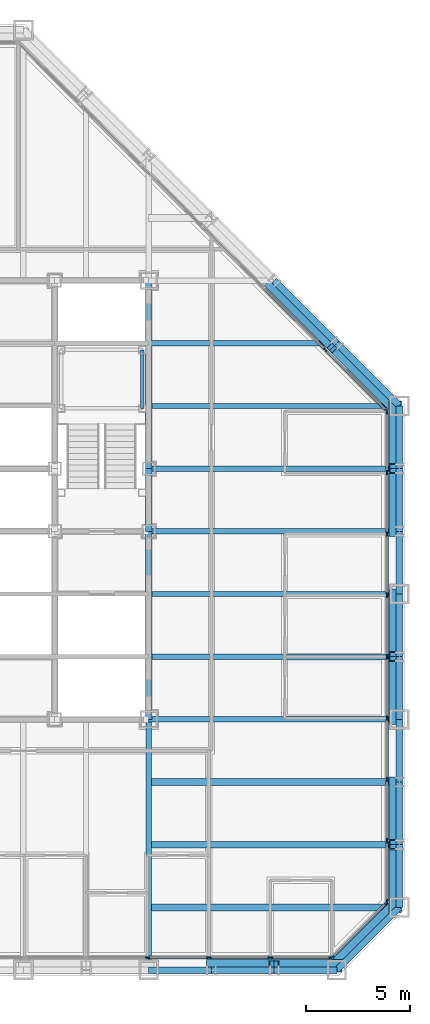
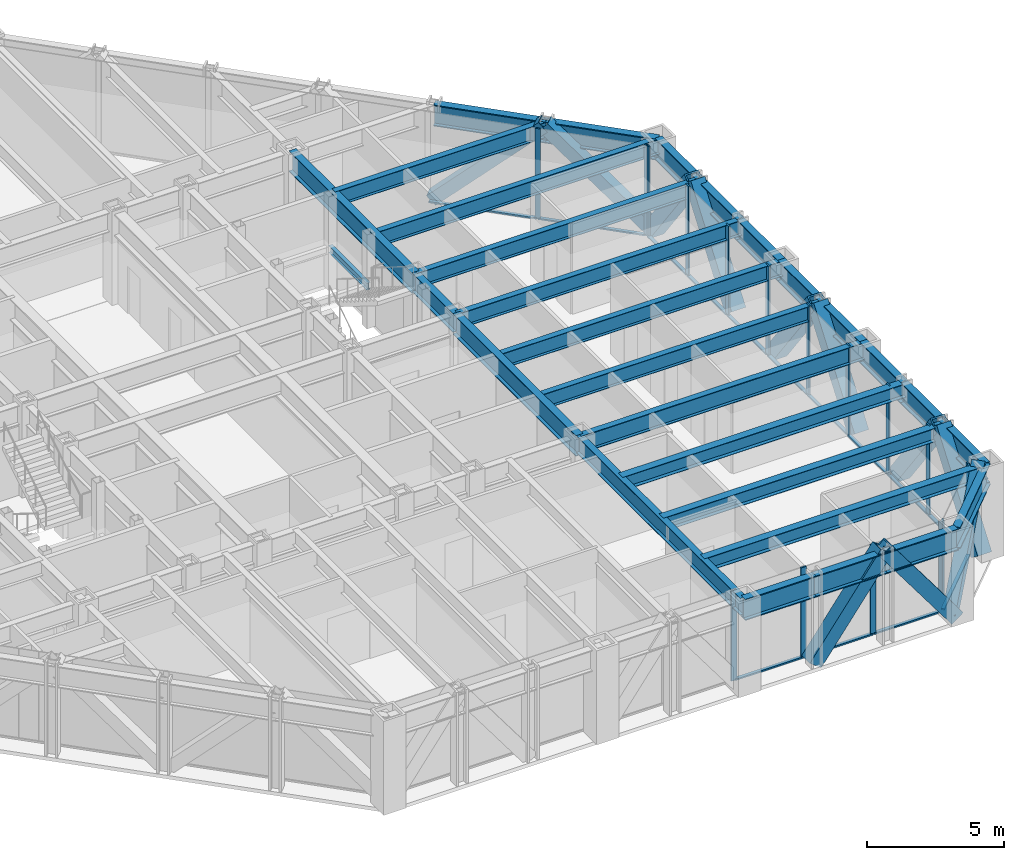
# One storey, part 6 of 16: 42 members, 29 beams, 4 elements without a shape of their own.
"""IFC4 building model written with IfcOpenShell, lengths in metres."""

from ifc_helpers import new_model, si_unit, direction, frame, origin, origin_2d, place, context, subcontext, project, spatial, rectangle, hollow_rectangle, i_section, extrude, material, layer, layer_set, material_profile, profile_set, type_object, element, aggregate, save


model = new_model("IFC4")

# Units and contexts
model_context = context("Model", 3, precision=1e-05, world=origin(), true_north=direction((0.0, 1.0)))
body_context = subcontext(model_context, "Body", "Model", "MODEL_VIEW")
ifc_project = project(units=[si_unit("LENGTHUNIT", "METRE"), si_unit("AREAUNIT", "SQUARE_METRE"), si_unit("VOLUMEUNIT", "CUBIC_METRE"), si_unit("PLANEANGLEUNIT", "RADIAN"), si_unit("MASSUNIT", "GRAM", prefix="KILO")], contexts=[model_context])

# Site, building, storey
site_placement = place(None, origin())
site = spatial("IfcSite", under=ifc_project, at=site_placement, CompositionType="ELEMENT")
building_placement = place(site_placement, origin())
building = spatial("IfcBuilding", under=site, at=building_placement, Name="Chuquiago Exchange Tower", CompositionType="ELEMENT")
storey_placement = place(building_placement, frame((0.0, 0.0, 144.60009765625)))
storey = spatial("IfcBuildingStorey", under=building, at=storey_placement, Name="L31", CompositionType="ELEMENT", Elevation=144.60009765625)

# Beams
ifc_material_1 = material(Name="Steel ASTM A992", Category="steel")
ifc_material_profile_1 = material_profile(ifc_material_1, i_section(OverallWidth=0.25390625, OverallDepth=0.683349609375, WebThickness=0.012451171875, FlangeThickness=0.018798828125, at=origin_2d()), Name="W27X94")
ifc_profile_set_1 = profile_set([ifc_material_profile_1], Name="Steel ASTM A992")
beam_type_1 = type_object("IfcBeamType", Name="B1 W27X94", PredefinedType="BEAM", material=ifc_profile_set_1)
for number, where, z_axis, x_axis, name in (
    (1, (33.0, 15.0, 3.6982421875), (1.0, 0.0, 0.0), (0.0, 1.0, 0.0), "FB-L32-infill-33_15-45_15-0"),
    (2, (33.0, 18.0, 3.6982421875), (1.0, 0.0, 0.0), (0.0, 1.0, 0.0), "FB-L32-infill-33_18-45_18-0"),
    (3, (33.0, 21.0, 3.6982421875), (1.0, 0.0, 0.0), (0.0, 1.0, 0.0), "FB-L32-infill-33_21-45_21-0"),
    (4, (33.0, 24.0, 3.6982421875), (1.0, 0.0, 0.0), (0.0, 1.0, 0.0), "FB-L32-infill-33_24-45_24-0"),
    (5, (33.0, 27.0, 3.6982421875), (1.0, 0.0, 0.0), (0.0, 1.0, 0.0), "FB-L32-infill-33_27-45_27-0"),
):
    element("IfcBeam", number, at=place(storey_placement, frame(where, z_axis=z_axis, x_axis=x_axis)), inside=storey, type_object=beam_type_1, Name=name, PredefinedType="BEAM", context=body_context, shape_type="SweptSolid", body=[
        extrude(i_section(OverallWidth=0.25390625, OverallDepth=0.683349609375, WebThickness=0.012451171875, FlangeThickness=0.018798828125, at=origin_2d()), origin(), (0.0, 0.0, 1.0), 12.0),
    ])
beam_1_placement = place(storey_placement, frame((33.0, 30.0, 3.6982421875), z_axis=(1.0, 0.0, 0.0), x_axis=(0.0, 1.0, 0.0)))
element("IfcBeam", 6, at=beam_1_placement, inside=storey, type_object=beam_type_1, Name="FB-L32-infill-33_30-42_30-0", PredefinedType="BEAM", context=body_context, shape_type="SweptSolid", body=[
    extrude(i_section(OverallWidth=0.25390625, OverallDepth=0.683349609375, WebThickness=0.012451171875, FlangeThickness=0.018798828125, at=origin_2d()), origin(), (0.0, 0.0, 1.0), 9.0),
])
ifc_material_2 = material(Name="Steel ASTM A992", Category="steel")
ifc_material_profile_2 = material_profile(ifc_material_2, i_section(OverallWidth=0.307373046875, OverallDepth=0.927001953125, WebThickness=0.01953125, FlangeThickness=0.031982421875, at=origin_2d()), Name="W36X194")
ifc_profile_set_2 = profile_set([ifc_material_profile_2], Name="Steel ASTM A992")
beam_type_2 = type_object("IfcBeamType", Name="B10 W36X194", PredefinedType="BEAM", material=ifc_profile_set_2)
for number, where, z_axis, x_axis, name in (
    (7, (33.0, 12.0, 3.576416015625), (0.0, 1.0, 0.0), (-1.0, 0.0, 0.0), "CB-L32-33_12-33_21"),
    (8, (33.0, 24.0, 3.576416015625), (0.0, 1.0, 0.0), (-1.0, 0.0, 0.0), "CB-L32-33_24-33_33"),
):
    element("IfcBeam", number, at=place(storey_placement, frame(where, z_axis=z_axis, x_axis=x_axis)), inside=storey, type_object=beam_type_2, Name=name, PredefinedType="BEAM", context=body_context, shape_type="SweptSolid", body=[
        extrude(i_section(OverallWidth=0.307373046875, OverallDepth=0.927001953125, WebThickness=0.01953125, FlangeThickness=0.031982421875, at=origin_2d()), origin(), (0.0, 0.0, 1.0), 9.0),
    ])
ifc_material_3 = material(Name="Steel ASTM A992", Category="steel")
ifc_material_profile_3 = material_profile(ifc_material_3, i_section(OverallWidth=0.3251953125, OverallDepth=0.612060546875, WebThickness=0.0126953125, FlangeThickness=0.01904296875, at=origin_2d()), Name="W24X104")
ifc_profile_set_3 = profile_set([ifc_material_profile_3], Name="Steel ASTM A992")
beam_type_3 = type_object("IfcBeamType", Name="B2 W24X104", PredefinedType="BEAM", material=ifc_profile_set_3)
for number, where, z_axis, x_axis, name in (
    (9, (33.0, 3.0, 3.73388671875), (1.0, 0.0, 0.0), (0.0, 1.0, 0.0), "FB-L32-corner-33_3-45_3-0"),
    (10, (33.0, 6.0, 3.73388671875), (1.0, 0.0, 0.0), (0.0, 1.0, 0.0), "FB-L32-corner-33_6-45_6-0"),
    (11, (33.0, 9.0, 3.73388671875), (1.0, 0.0, 0.0), (0.0, 1.0, 0.0), "FB-L32-corner-33_9-45_9-0"),
):
    element("IfcBeam", number, at=place(storey_placement, frame(where, z_axis=z_axis, x_axis=x_axis)), inside=storey, type_object=beam_type_3, Name=name, PredefinedType="BEAM", context=body_context, shape_type="SweptSolid", body=[
        extrude(i_section(OverallWidth=0.3251953125, OverallDepth=0.612060546875, WebThickness=0.0126953125, FlangeThickness=0.01904296875, at=origin_2d()), origin(), (0.0, 0.0, 1.0), 12.0),
    ])
ifc_material_4 = material(Name="Steel ASTM A992", Category="steel")
ifc_material_profile_4 = material_profile(ifc_material_4, i_section(OverallWidth=0.2919921875, OverallDepth=0.8583984375, WebThickness=0.01708984375, FlangeThickness=0.031005859375, at=origin_2d()), Name="W33X169")
ifc_profile_set_4 = profile_set([ifc_material_profile_4], Name="Steel ASTM A992")
beam_type_4 = type_object("IfcBeamType", Name="B3 W33X169", PredefinedType="BEAM", material=ifc_profile_set_4)
beam_2_placement = place(storey_placement, frame((33.0, 21.0, 3.610595703125), z_axis=(0.0, 1.0, 0.0), x_axis=(-1.0, 0.0, 0.0)))
element("IfcBeam", 12, at=beam_2_placement, inside=storey, type_object=beam_type_4, Name="CB-L32-33_21-33_24", PredefinedType="BEAM", context=body_context, shape_type="SweptSolid", body=[
    extrude(i_section(OverallWidth=0.2919921875, OverallDepth=0.8583984375, WebThickness=0.01708984375, FlangeThickness=0.031005859375, at=origin_2d()), origin(), (0.0, 0.0, 1.0), 3.0),
])

# Curtain wall, members
ifc_material_5 = material(Name="Aluminium curtain wall system", Category="aluminium")
ifc_layer_1 = layer(ifc_material_5, 0.22509765625)
ifc_layer_set_1 = layer_set([ifc_layer_1], Name="CW2 office curtain wall")
curtain_wall_type_1 = type_object("IfcCurtainWallType", Name="CW2 office curtain wall", PredefinedType="NOTDEFINED", material=ifc_layer_set_1)
curtain_wall_1_placement = place(storey_placement, origin())
curtain_wall_1 = element("IfcCurtainWall", 13, at=curtain_wall_1_placement, inside=storey, type_object=curtain_wall_type_1, Name="CW2 curtain wall L31", PredefinedType="NOTDEFINED")
ifc_material_6 = material(Name="Aluminium mullion, pale anodised", Category="aluminium")
ifc_material_profile_5 = material_profile(ifc_material_6, rectangle(XDim=0.06494140625, YDim=0.22509765625, at=origin_2d()), Name="AL 65x225")
ifc_profile_set_5 = profile_set([ifc_material_profile_5], Name="Aluminium mullion, pale anodised")
member_type_1 = type_object("IfcMemberType", Name="CW2-M mullion 65x225", PredefinedType="MULLION", material=ifc_profile_set_5)
member_1_placement = place(storey_placement, frame((32.93798828125, 0.60009765625, 0.0), z_axis=(0.0, 0.0, 1.0), x_axis=(0.0, 1.0, 0.0)))
member_1 = element("IfcMember", 14, at=member_1_placement, type_object=member_type_1, Name="CW2 mullion 6", PredefinedType="MULLION", context=body_context, shape_type="SweptSolid", body=[
    extrude(rectangle(XDim=0.06494140625, YDim=0.22509765625, at=origin_2d()), origin(), (0.0, 0.0, 1.0), 4.039794921875),
])
member_2_placement = place(storey_placement, frame((35.875732421875, 0.60009765625, 0.0), z_axis=(0.0, 0.0, 1.0), x_axis=(0.0, 1.0, 0.0)))
member_2 = element("IfcMember", 15, at=member_2_placement, type_object=member_type_1, Name="CW2 mullion 7", PredefinedType="MULLION", context=body_context, shape_type="SweptSolid", body=[
    extrude(rectangle(XDim=0.06494140625, YDim=0.22509765625, at=origin_2d()), origin(), (0.0, 0.0, 1.0), 4.039794921875),
])
member_3_placement = place(storey_placement, frame((38.813720703125, 0.60009765625, 0.0), z_axis=(0.0, 0.0, 1.0), x_axis=(0.0, 1.0, 0.0)))
member_3 = element("IfcMember", 16, at=member_3_placement, type_object=member_type_1, Name="CW2 mullion 8", PredefinedType="MULLION", context=body_context, shape_type="SweptSolid", body=[
    extrude(rectangle(XDim=0.06494140625, YDim=0.22509765625, at=origin_2d()), origin(), (0.0, 0.0, 1.0), 4.039794921875),
])
member_4_placement = place(storey_placement, frame((41.718994140625, 0.60009765625, 0.0), z_axis=(0.0, 0.0, 1.0), x_axis=(0.0, 1.0, 0.0)))
member_4 = element("IfcMember", 17, at=member_4_placement, type_object=member_type_1, Name="CW2 mullion 9", PredefinedType="MULLION", context=body_context, shape_type="SweptSolid", body=[
    extrude(rectangle(XDim=0.06494140625, YDim=0.22509765625, at=origin_2d()), origin(), (0.0, 0.0, 1.0), 4.039794921875),
])

curtain_wall_2_placement = place(storey_placement, origin())
curtain_wall_2 = element("IfcCurtainWall", 18, at=curtain_wall_2_placement, inside=storey, type_object=curtain_wall_type_1, Name="CW2 curtain wall L31", PredefinedType="NOTDEFINED")
member_5_placement = place(storey_placement, frame((44.39990234375, 3.281005859375, 0.0), z_axis=(0.0, 0.0, 1.0), x_axis=(-1.0, 0.0, 0.0)))
member_5 = element("IfcMember", 19, at=member_5_placement, type_object=member_type_1, Name="CW2 mullion 1", PredefinedType="MULLION", context=body_context, shape_type="SweptSolid", body=[
    extrude(rectangle(XDim=0.06494140625, YDim=0.22509765625, at=origin_2d()), origin(), (0.0, 0.0, 1.0), 4.039794921875),
])
member_6_placement = place(storey_placement, frame((44.39990234375, 6.186279296875, 0.0), z_axis=(0.0, 0.0, 1.0), x_axis=(-1.0, 0.0, 0.0)))
member_6 = element("IfcMember", 20, at=member_6_placement, type_object=member_type_1, Name="CW2 mullion 2", PredefinedType="MULLION", context=body_context, shape_type="SweptSolid", body=[
    extrude(rectangle(XDim=0.06494140625, YDim=0.22509765625, at=origin_2d()), origin(), (0.0, 0.0, 1.0), 4.039794921875),
])
member_7_placement = place(storey_placement, frame((44.39990234375, 9.124267578125, 0.0), z_axis=(0.0, 0.0, 1.0), x_axis=(-1.0, 0.0, 0.0)))
member_7 = element("IfcMember", 21, at=member_7_placement, type_object=member_type_1, Name="CW2 mullion 3", PredefinedType="MULLION", context=body_context, shape_type="SweptSolid", body=[
    extrude(rectangle(XDim=0.06494140625, YDim=0.22509765625, at=origin_2d()), origin(), (0.0, 0.0, 1.0), 4.039794921875),
])
member_8_placement = place(storey_placement, frame((44.39990234375, 12.06201171875, 0.0), z_axis=(0.0, 0.0, 1.0), x_axis=(-1.0, 0.0, 0.0)))
member_8 = element("IfcMember", 22, at=member_8_placement, type_object=member_type_1, Name="CW2 mullion 4", PredefinedType="MULLION", context=body_context, shape_type="SweptSolid", body=[
    extrude(rectangle(XDim=0.06494140625, YDim=0.22509765625, at=origin_2d()), origin(), (0.0, 0.0, 1.0), 4.039794921875),
])
member_9_placement = place(storey_placement, frame((44.39990234375, 15.0, 0.0), z_axis=(0.0, 0.0, 1.0), x_axis=(-1.0, 0.0, 0.0)))
member_9 = element("IfcMember", 23, at=member_9_placement, type_object=member_type_1, Name="CW2 mullion 5", PredefinedType="MULLION", context=body_context, shape_type="SweptSolid", body=[
    extrude(rectangle(XDim=0.06494140625, YDim=0.22509765625, at=origin_2d()), origin(), (0.0, 0.0, 1.0), 4.039794921875),
])
member_10_placement = place(storey_placement, frame((44.39990234375, 17.93798828125, 0.0), z_axis=(0.0, 0.0, 1.0), x_axis=(-1.0, 0.0, 0.0)))
member_10 = element("IfcMember", 24, at=member_10_placement, type_object=member_type_1, Name="CW2 mullion 6", PredefinedType="MULLION", context=body_context, shape_type="SweptSolid", body=[
    extrude(rectangle(XDim=0.06494140625, YDim=0.22509765625, at=origin_2d()), origin(), (0.0, 0.0, 1.0), 4.039794921875),
])
member_11_placement = place(storey_placement, frame((44.39990234375, 20.875732421875, 0.0), z_axis=(0.0, 0.0, 1.0), x_axis=(-1.0, 0.0, 0.0)))
member_11 = element("IfcMember", 25, at=member_11_placement, type_object=member_type_1, Name="CW2 mullion 7", PredefinedType="MULLION", context=body_context, shape_type="SweptSolid", body=[
    extrude(rectangle(XDim=0.06494140625, YDim=0.22509765625, at=origin_2d()), origin(), (0.0, 0.0, 1.0), 4.039794921875),
])
member_12_placement = place(storey_placement, frame((44.39990234375, 23.813720703125, 0.0), z_axis=(0.0, 0.0, 1.0), x_axis=(-1.0, 0.0, 0.0)))
member_12 = element("IfcMember", 26, at=member_12_placement, type_object=member_type_1, Name="CW2 mullion 8", PredefinedType="MULLION", context=body_context, shape_type="SweptSolid", body=[
    extrude(rectangle(XDim=0.06494140625, YDim=0.22509765625, at=origin_2d()), origin(), (0.0, 0.0, 1.0), 4.039794921875),
])
member_13_placement = place(storey_placement, frame((44.39990234375, 26.718994140625, 0.0), z_axis=(0.0, 0.0, 1.0), x_axis=(-1.0, 0.0, 0.0)))
member_13 = element("IfcMember", 27, at=member_13_placement, type_object=member_type_1, Name="CW2 mullion 9", PredefinedType="MULLION", context=body_context, shape_type="SweptSolid", body=[
    extrude(rectangle(XDim=0.06494140625, YDim=0.22509765625, at=origin_2d()), origin(), (0.0, 0.0, 1.0), 4.039794921875),
])

# Member
ifc_material_7 = material(Name="Aluminium transom, pale anodised", Category="aluminium")
ifc_material_profile_6 = material_profile(ifc_material_7, rectangle(XDim=0.139892578125, YDim=0.06494140625, at=origin_2d()), Name="AL 140x65")
ifc_profile_set_6 = profile_set([ifc_material_profile_6], Name="Aluminium transom, pale anodised")
member_type_2 = type_object("IfcMemberType", Name="CW2-T transom 65x140", PredefinedType="MULLION", material=ifc_profile_set_6)
member_14_placement = place(storey_placement, frame((32.970458984375, 0.60009765625, 0.032470703125), z_axis=(1.0, 0.0, 0.0), x_axis=(0.0, 1.0, 0.0)))
member_14 = element("IfcMember", 28, at=member_14_placement, type_object=member_type_2, Name="CW2 transom 6.1", PredefinedType="MULLION", context=body_context, shape_type="SweptSolid", body=[
    extrude(rectangle(XDim=0.139892578125, YDim=0.06494140625, at=origin_2d()), origin(), (0.0, 0.0, 1.0), 2.872802734375),
])

member_15_placement = place(storey_placement, frame((35.908203125, 0.60009765625, 0.032470703125), z_axis=(1.0, 0.0, 0.0), x_axis=(0.0, 1.0, 0.0)))
member_15 = element("IfcMember", 29, at=member_15_placement, type_object=member_type_2, Name="CW2 transom 7.1", PredefinedType="MULLION", context=body_context, shape_type="SweptSolid", body=[
    extrude(rectangle(XDim=0.139892578125, YDim=0.06494140625, at=origin_2d()), origin(), (0.0, 0.0, 1.0), 2.872802734375),
])

member_16_placement = place(storey_placement, frame((38.84619140625, 0.60009765625, 0.032470703125), z_axis=(1.0, 0.0, 0.0), x_axis=(0.0, 1.0, 0.0)))
member_16 = element("IfcMember", 30, at=member_16_placement, type_object=member_type_2, Name="CW2 transom 8.1", PredefinedType="MULLION", context=body_context, shape_type="SweptSolid", body=[
    extrude(rectangle(XDim=0.139892578125, YDim=0.06494140625, at=origin_2d()), origin(), (0.0, 0.0, 1.0), 2.84033203125),
])

aggregate(curtain_wall_1, [member_1, member_2, member_3, member_4, member_14, member_15, member_16])

member_17_placement = place(storey_placement, frame((44.39990234375, 3.3134765625, 0.032470703125), z_axis=(0.0, 1.0, 0.0), x_axis=(-1.0, 0.0, 0.0)))
member_17 = element("IfcMember", 31, at=member_17_placement, type_object=member_type_2, Name="CW2 transom 1.1", PredefinedType="MULLION", context=body_context, shape_type="SweptSolid", body=[
    extrude(rectangle(XDim=0.139892578125, YDim=0.06494140625, at=origin_2d()), origin(), (0.0, 0.0, 1.0), 2.84033203125),
])

member_18_placement = place(storey_placement, frame((44.39990234375, 6.218994140625, 0.032470703125), z_axis=(0.0, 1.0, 0.0), x_axis=(-1.0, 0.0, 0.0)))
member_18 = element("IfcMember", 32, at=member_18_placement, type_object=member_type_2, Name="CW2 transom 2.1", PredefinedType="MULLION", context=body_context, shape_type="SweptSolid", body=[
    extrude(rectangle(XDim=0.139892578125, YDim=0.06494140625, at=origin_2d()), origin(), (0.0, 0.0, 1.0), 2.872802734375),
])

member_19_placement = place(storey_placement, frame((44.39990234375, 9.15673828125, 0.032470703125), z_axis=(0.0, 1.0, 0.0), x_axis=(-1.0, 0.0, 0.0)))
member_19 = element("IfcMember", 33, at=member_19_placement, type_object=member_type_2, Name="CW2 transom 3.1", PredefinedType="MULLION", context=body_context, shape_type="SweptSolid", body=[
    extrude(rectangle(XDim=0.139892578125, YDim=0.06494140625, at=origin_2d()), origin(), (0.0, 0.0, 1.0), 2.872802734375),
])

member_20_placement = place(storey_placement, frame((44.39990234375, 12.0947265625, 0.032470703125), z_axis=(0.0, 1.0, 0.0), x_axis=(-1.0, 0.0, 0.0)))
member_20 = element("IfcMember", 34, at=member_20_placement, type_object=member_type_2, Name="CW2 transom 4.1", PredefinedType="MULLION", context=body_context, shape_type="SweptSolid", body=[
    extrude(rectangle(XDim=0.139892578125, YDim=0.06494140625, at=origin_2d()), origin(), (0.0, 0.0, 1.0), 2.872802734375),
])

member_21_placement = place(storey_placement, frame((44.39990234375, 15.032470703125, 0.032470703125), z_axis=(0.0, 1.0, 0.0), x_axis=(-1.0, 0.0, 0.0)))
member_21 = element("IfcMember", 35, at=member_21_placement, type_object=member_type_2, Name="CW2 transom 5.1", PredefinedType="MULLION", context=body_context, shape_type="SweptSolid", body=[
    extrude(rectangle(XDim=0.139892578125, YDim=0.06494140625, at=origin_2d()), origin(), (0.0, 0.0, 1.0), 2.872802734375),
])

member_22_placement = place(storey_placement, frame((44.39990234375, 17.970458984375, 0.032470703125), z_axis=(0.0, 1.0, 0.0), x_axis=(-1.0, 0.0, 0.0)))
member_22 = element("IfcMember", 36, at=member_22_placement, type_object=member_type_2, Name="CW2 transom 6.1", PredefinedType="MULLION", context=body_context, shape_type="SweptSolid", body=[
    extrude(rectangle(XDim=0.139892578125, YDim=0.06494140625, at=origin_2d()), origin(), (0.0, 0.0, 1.0), 2.872802734375),
])

member_23_placement = place(storey_placement, frame((44.39990234375, 20.908203125, 0.032470703125), z_axis=(0.0, 1.0, 0.0), x_axis=(-1.0, 0.0, 0.0)))
member_23 = element("IfcMember", 37, at=member_23_placement, type_object=member_type_2, Name="CW2 transom 7.1", PredefinedType="MULLION", context=body_context, shape_type="SweptSolid", body=[
    extrude(rectangle(XDim=0.139892578125, YDim=0.06494140625, at=origin_2d()), origin(), (0.0, 0.0, 1.0), 2.872802734375),
])

member_24_placement = place(storey_placement, frame((44.39990234375, 23.84619140625, 0.032470703125), z_axis=(0.0, 1.0, 0.0), x_axis=(-1.0, 0.0, 0.0)))
member_24 = element("IfcMember", 38, at=member_24_placement, type_object=member_type_2, Name="CW2 transom 8.1", PredefinedType="MULLION", context=body_context, shape_type="SweptSolid", body=[
    extrude(rectangle(XDim=0.139892578125, YDim=0.06494140625, at=origin_2d()), origin(), (0.0, 0.0, 1.0), 2.84033203125),
])

aggregate(curtain_wall_2, [member_5, member_6, member_7, member_8, member_9, member_10, member_11, member_12, member_13, member_17, member_18, member_19, member_20, member_21, member_22, member_23, member_24])

# Curtain wall, members
ifc_material_8 = material(Name="Aluminium curtain wall system", Category="aluminium")
ifc_layer_2 = layer(ifc_material_8, 0.199951171875)
ifc_layer_set_2 = layer_set([ifc_layer_2], Name="CW3 facet curtain wall")
curtain_wall_type_2 = type_object("IfcCurtainWallType", Name="CW3 facet curtain wall", PredefinedType="NOTDEFINED", material=ifc_layer_set_2)
curtain_wall_3_placement = place(storey_placement, origin())
curtain_wall_3 = element("IfcCurtainWall", 39, at=curtain_wall_3_placement, inside=storey, type_object=curtain_wall_type_2, Name="CW3 curtain wall L31", PredefinedType="NOTDEFINED")
ifc_material_9 = material(Name="Aluminium mullion, pale anodised", Category="aluminium")
ifc_material_profile_7 = material_profile(ifc_material_9, rectangle(XDim=0.06494140625, YDim=0.199951171875, at=origin_2d()), Name="AL 65x200")
ifc_profile_set_7 = profile_set([ifc_material_profile_7], Name="Aluminium mullion, pale anodised")
member_type_3 = type_object("IfcMemberType", Name="CW3-M mullion 65x200", PredefinedType="MULLION", material=ifc_profile_set_7)
member_25_placement = place(storey_placement, frame((41.7744140625, 0.623046875, 0.0), z_axis=(0.0, 0.0, 1.0), x_axis=(-0.707106781187, 0.707106781187, 0.0)))
member_25 = element("IfcMember", 40, at=member_25_placement, type_object=member_type_3, Name="CW3 mullion 1", PredefinedType="MULLION", context=body_context, shape_type="SweptSolid", body=[
    extrude(rectangle(XDim=0.06494140625, YDim=0.199951171875, at=origin_2d()), origin(), (0.0, 0.0, 1.0), 4.039794921875),
])
member_26_placement = place(storey_placement, frame((44.376953125, 3.2255859375, 0.0), z_axis=(0.0, 0.0, 1.0), x_axis=(-0.707106781187, 0.707106781187, 0.0)))
member_26 = element("IfcMember", 41, at=member_26_placement, type_object=member_type_3, Name="CW3 mullion 2", PredefinedType="MULLION", context=body_context, shape_type="SweptSolid", body=[
    extrude(rectangle(XDim=0.06494140625, YDim=0.199951171875, at=origin_2d()), origin(), (0.0, 0.0, 1.0), 4.039794921875),
])

curtain_wall_4_placement = place(storey_placement, origin())
curtain_wall_4 = element("IfcCurtainWall", 42, at=curtain_wall_4_placement, inside=storey, type_object=curtain_wall_type_2, Name="CW3 curtain wall L31", PredefinedType="NOTDEFINED")
member_27_placement = place(storey_placement, frame((44.376953125, 26.7744140625, 0.0), z_axis=(0.0, 0.0, 1.0), x_axis=(-0.707106781187, -0.707106781187, 0.0)))
member_27 = element("IfcMember", 43, at=member_27_placement, type_object=member_type_3, Name="CW3 mullion 1", PredefinedType="MULLION", context=body_context, shape_type="SweptSolid", body=[
    extrude(rectangle(XDim=0.06494140625, YDim=0.199951171875, at=origin_2d()), origin(), (0.0, 0.0, 1.0), 4.039794921875),
])
member_28_placement = place(storey_placement, frame((41.45849609375, 29.69287109375, 0.0), z_axis=(0.0, 0.0, 1.0), x_axis=(-0.707106781187, -0.707106781187, 0.0)))
member_28 = element("IfcMember", 44, at=member_28_placement, type_object=member_type_3, Name="CW3 mullion 2", PredefinedType="MULLION", context=body_context, shape_type="SweptSolid", body=[
    extrude(rectangle(XDim=0.06494140625, YDim=0.199951171875, at=origin_2d()), origin(), (0.0, 0.0, 1.0), 4.039794921875),
])

# Member
ifc_material_10 = material(Name="Aluminium transom, pale anodised", Category="aluminium")
ifc_material_profile_8 = material_profile(ifc_material_10, rectangle(XDim=0.139892578125, YDim=0.06494140625, at=origin_2d()), Name="AL 140x65")
ifc_profile_set_8 = profile_set([ifc_material_profile_8], Name="Aluminium transom, pale anodised")
member_type_4 = type_object("IfcMemberType", Name="CW3-T transom 65x140", PredefinedType="MULLION", material=ifc_profile_set_8)
member_29_placement = place(storey_placement, frame((41.79736328125, 0.64599609375, 0.032470703125), z_axis=(0.707106781187, 0.707106781187, 0.0), x_axis=(-0.707106781187, 0.707106781187, 0.0)))
member_29 = element("IfcMember", 45, at=member_29_placement, type_object=member_type_4, Name="CW3 transom 1.1", PredefinedType="MULLION", context=body_context, shape_type="SweptSolid", body=[
    extrude(rectangle(XDim=0.139892578125, YDim=0.06494140625, at=origin_2d()), origin(), (0.0, 0.0, 1.0), 3.61572265625),
])

aggregate(curtain_wall_3, [member_25, member_26, member_29])

member_30_placement = place(storey_placement, frame((44.35400390625, 26.79736328125, 0.032470703125), z_axis=(-0.707106781187, 0.707106781187, 0.0), x_axis=(-0.707106781187, -0.707106781187, 0.0)))
member_30 = element("IfcMember", 46, at=member_30_placement, type_object=member_type_4, Name="CW3 transom 1.1", PredefinedType="MULLION", context=body_context, shape_type="SweptSolid", body=[
    extrude(rectangle(XDim=0.139892578125, YDim=0.06494140625, at=origin_2d()), origin(), (0.0, 0.0, 1.0), 4.0625),
])

member_31_placement = place(storey_placement, frame((41.435546875, 29.7158203125, 0.032470703125), z_axis=(-0.707106781187, 0.707106781187, 0.0), x_axis=(-0.707106781187, -0.707106781187, 0.0)))
member_31 = element("IfcMember", 47, at=member_31_placement, type_object=member_type_4, Name="CW3 transom 2.1", PredefinedType="MULLION", context=body_context, shape_type="SweptSolid", body=[
    extrude(rectangle(XDim=0.139892578125, YDim=0.06494140625, at=origin_2d()), origin(), (0.0, 0.0, 1.0), 4.094970703125),
])

aggregate(curtain_wall_4, [member_27, member_28, member_30, member_31])

# Beams
ifc_material_11 = material(Name="Steel ASTM A992", Category="steel")
ifc_material_profile_9 = material_profile(ifc_material_11, i_section(OverallWidth=0.2666015625, OverallDepth=0.76953125, WebThickness=0.015625, FlangeThickness=0.025390625, at=origin_2d()), Name="W30X132")
ifc_profile_set_9 = profile_set([ifc_material_profile_9], Name="Steel ASTM A992")
beam_type_5 = type_object("IfcBeamType", Name="G1 W30X132", PredefinedType="BEAM", material=ifc_profile_set_9)
for number, where, z_axis, x_axis, name in (
    (48, (33.0, 12.0, 3.655029296875), (0.0, -1.0, 0.0), (1.0, 0.0, 0.0), "FB-L32-girder-33_12-33_-0-0"),
    (49, (33.0, 12.0, 3.655029296875), (1.0, 0.0, 0.0), (0.0, 1.0, 0.0), "FB-L32-girder-33_12-45_12-0"),
):
    element("IfcBeam", number, at=place(storey_placement, frame(where, z_axis=z_axis, x_axis=x_axis)), inside=storey, type_object=beam_type_5, Name=name, PredefinedType="BEAM", context=body_context, shape_type="SweptSolid", body=[
        extrude(i_section(OverallWidth=0.2666015625, OverallDepth=0.76953125, WebThickness=0.015625, FlangeThickness=0.025390625, at=origin_2d()), origin(), (0.0, 0.0, 1.0), 12.0),
    ])

# Members
ifc_material_12 = material(Name="Steel ASTM A500 Grade C", Category="steel")
ifc_material_profile_10 = material_profile(ifc_material_12, hollow_rectangle(XDim=0.508056640625, YDim=0.508056640625, WallThickness=0.017822265625, at=origin_2d()), Name="HSS20X20X3/4")
ifc_profile_set_10 = profile_set([ifc_material_profile_10], Name="Steel ASTM A500 Grade C")
member_type_5 = type_object("IfcMemberType", Name="LB1 HSS20X20X3/4", PredefinedType="BRACE", material=ifc_profile_set_10)
for number, where, z_axis, x_axis, name in (
    (50, (41.822509765625, 0.177490234375, 0.0), (0.51209198167, 0.51209198167, 0.689582195694), (-0.707106781187, 0.707106781187, 0.0), "LB-L31-42_0-45_3"),
    (51, (44.822509765625, 26.822509765625, 0.0), (-0.51209198167, 0.51209198167, 0.689582195694), (-0.707106781187, -0.707106781187, 0.0), "LB-L31-45_27-42_30"),
    (52, (38.822509765625, 32.822509765625, 0.0), (0.51209198167, -0.51209198167, 0.689582195694), (0.707106781187, 0.707106781187, 0.0), "LB-L31-42_30-39_33"),
):
    element("IfcMember", number, at=place(storey_placement, frame(where, z_axis=z_axis, x_axis=x_axis)), inside=storey, type_object=member_type_5, Name=name, PredefinedType="BRACE", context=body_context, shape_type="SweptSolid", body=[
        extrude(hollow_rectangle(XDim=0.508056640625, YDim=0.508056640625, WallThickness=0.017822265625, at=origin_2d()), origin(), (0.0, 0.0, 1.0), 5.8583984375),
    ])

# Beam
ifc_material_13 = material(Name="Steel ASTM A992", Category="steel")
ifc_material_profile_11 = material_profile(ifc_material_13, i_section(OverallWidth=0.164794921875, OverallDepth=0.309814453125, WebThickness=0.005859375, FlangeThickness=0.009765625, at=origin_2d()), Name="W12X26")
ifc_profile_set_11 = profile_set([ifc_material_profile_11], Name="Steel ASTM A992")
beam_type_6 = type_object("IfcBeamType", Name="LS1 W12X26", PredefinedType="BEAM", material=ifc_profile_set_11)
beam_3_placement = place(storey_placement, frame((32.68994140625, 26.889892578125, 1.7451171875), z_axis=(0.0, 1.0, 0.0), x_axis=(-1.0, 0.0, 0.0)))
element("IfcBeam", 53, at=beam_3_placement, inside=storey, type_object=beam_type_6, Name="Stair ST2 L31 landing 1 stringer", PredefinedType="BEAM", context=body_context, shape_type="SweptSolid", body=[
    extrude(i_section(OverallWidth=0.164794921875, OverallDepth=0.309814453125, WebThickness=0.005859375, FlangeThickness=0.009765625, at=origin_2d()), origin(), (0.0, 0.0, 1.0), 2.800048828125),
])

# Members
ifc_material_14 = material(Name="Steel ASTM A572 Grade 50", Category="steel")
ifc_material_profile_12 = material_profile(ifc_material_14, hollow_rectangle(XDim=0.60009765625, YDim=0.60009765625, WallThickness=0.06005859375, at=origin_2d()), Name="BOX600X600X60")
ifc_profile_set_12 = profile_set([ifc_material_profile_12], Name="Steel ASTM A572 Grade 50")
member_type_6 = type_object("IfcMemberType", Name="MB2 BOX600X600X60", PredefinedType="BRACE", material=ifc_profile_set_12)
for number, where, z_axis, x_axis, name in (
    (54, (36.0, 0.205078125, 0.0), (0.596197146086, 0.0, 0.802838067732), (0.0, 1.0, 0.0), "Mega diagonal L31 S face"),
    (55, (42.0, 0.205078125, 0.0), (-0.596197146086, 0.0, 0.802838067732), (0.0, -1.0, 0.0), "Mega diagonal L31 S face"),
    (56, (44.794921875, 3.0, 0.0), (0.0, 0.596197146086, 0.802838067732), (-1.0, 0.0, 0.0), "Mega diagonal L31 E face"),
    (57, (44.794921875, 9.0, 0.0), (0.0, -0.596197146086, 0.802838067732), (1.0, 0.0, 0.0), "Mega diagonal L31 E face"),
    (58, (44.794921875, 12.0, 0.0), (0.0, 0.596197146086, 0.802838067732), (-1.0, 0.0, 0.0), "Mega diagonal L31 E face"),
    (59, (44.794921875, 18.0, 0.0), (0.0, -0.596197146086, 0.802838067732), (1.0, 0.0, 0.0), "Mega diagonal L31 E face"),
    (60, (44.794921875, 21.0, 0.0), (0.0, 0.596197146086, 0.802838067732), (-1.0, 0.0, 0.0), "Mega diagonal L31 E face"),
    (61, (44.794921875, 27.0, 0.0), (0.0, -0.596197146086, 0.802838067732), (1.0, 0.0, 0.0), "Mega diagonal L31 E face"),
):
    element("IfcMember", number, at=place(storey_placement, frame(where, z_axis=z_axis, x_axis=x_axis)), inside=storey, type_object=member_type_6, Name=name, PredefinedType="BRACE", context=body_context, shape_type="SweptSolid", body=[
        extrude(hollow_rectangle(XDim=0.60009765625, YDim=0.60009765625, WallThickness=0.06005859375, at=origin_2d()), origin(), (0.0, 0.0, 1.0), 5.031982421875),
    ])

# Beams
ifc_material_15 = material(Name="Steel ASTM A992", Category="steel")
ifc_material_profile_13 = material_profile(ifc_material_15, i_section(OverallWidth=0.309814453125, OverallDepth=0.949951171875, WebThickness=0.0244140625, FlangeThickness=0.0439453125, at=origin_2d()), Name="W36X256")
ifc_profile_set_13 = profile_set([ifc_material_profile_13], Name="Steel ASTM A992")
beam_type_7 = type_object("IfcBeamType", Name="SP2 W36X256", PredefinedType="SPANDREL", material=ifc_profile_set_13)
for number, where, z_axis, x_axis, name in (
    (62, (33.0, 0.0, 3.56494140625), (1.0, 0.0, 0.0), (0.0, 1.0, 0.0), "SPB-L32-33_0-36_0"),
    (63, (36.0, 0.0, 3.56494140625), (1.0, 0.0, 0.0), (0.0, 1.0, 0.0), "SPB-L32-36_0-39_0"),
    (64, (39.0, 0.0, 3.56494140625), (1.0, 0.0, 0.0), (0.0, 1.0, 0.0), "SPB-L32-39_0-42_0"),
):
    element("IfcBeam", number, at=place(storey_placement, frame(where, z_axis=z_axis, x_axis=x_axis)), inside=storey, type_object=beam_type_7, Name=name, PredefinedType="SPANDREL", context=body_context, shape_type="SweptSolid", body=[
        extrude(i_section(OverallWidth=0.309814453125, OverallDepth=0.949951171875, WebThickness=0.0244140625, FlangeThickness=0.0439453125, at=origin_2d()), origin(), (0.0, 0.0, 1.0), 3.0),
    ])
beam_4_placement = place(storey_placement, frame((42.0, 0.0, 3.56494140625), z_axis=(0.707106781187, 0.707106781187, 0.0), x_axis=(-0.707106781187, 0.707106781187, 0.0)))
element("IfcBeam", 65, at=beam_4_placement, inside=storey, type_object=beam_type_7, Name="SPB-L32-42_0-45_3", PredefinedType="SPANDREL", context=body_context, shape_type="SweptSolid", body=[
    extrude(i_section(OverallWidth=0.309814453125, OverallDepth=0.949951171875, WebThickness=0.0244140625, FlangeThickness=0.0439453125, at=origin_2d()), origin(), (0.0, 0.0, 1.0), 4.24267578125),
])
for number, where, z_axis, x_axis, name in (
    (66, (45.0, 3.0, 3.56494140625), (0.0, 1.0, 0.0), (-1.0, 0.0, 0.0), "SPB-L32-45_3-45_6"),
    (67, (45.0, 6.0, 3.56494140625), (0.0, 1.0, 0.0), (-1.0, 0.0, 0.0), "SPB-L32-45_6-45_9"),
    (68, (45.0, 9.0, 3.56494140625), (0.0, 1.0, 0.0), (-1.0, 0.0, 0.0), "SPB-L32-45_9-45_12"),
    (69, (45.0, 12.0, 3.56494140625), (0.0, 1.0, 0.0), (-1.0, 0.0, 0.0), "SPB-L32-45_12-45_15"),
    (70, (45.0, 15.0, 3.56494140625), (0.0, 1.0, 0.0), (-1.0, 0.0, 0.0), "SPB-L32-45_15-45_18"),
    (71, (45.0, 18.0, 3.56494140625), (0.0, 1.0, 0.0), (-1.0, 0.0, 0.0), "SPB-L32-45_18-45_21"),
    (72, (45.0, 21.0, 3.56494140625), (0.0, 1.0, 0.0), (-1.0, 0.0, 0.0), "SPB-L32-45_21-45_24"),
    (73, (45.0, 24.0, 3.56494140625), (0.0, 1.0, 0.0), (-1.0, 0.0, 0.0), "SPB-L32-45_24-45_27"),
):
    element("IfcBeam", number, at=place(storey_placement, frame(where, z_axis=z_axis, x_axis=x_axis)), inside=storey, type_object=beam_type_7, Name=name, PredefinedType="SPANDREL", context=body_context, shape_type="SweptSolid", body=[
        extrude(i_section(OverallWidth=0.309814453125, OverallDepth=0.949951171875, WebThickness=0.0244140625, FlangeThickness=0.0439453125, at=origin_2d()), origin(), (0.0, 0.0, 1.0), 3.0),
    ])
for number, where, z_axis, x_axis, name in (
    (74, (45.0, 27.0, 3.56494140625), (-0.707106781187, 0.707106781187, 0.0), (-0.707106781187, -0.707106781187, 0.0), "SPB-L32-45_27-42_30"),
    (75, (42.0, 30.0, 3.56494140625), (-0.707106781187, 0.707106781187, 0.0), (-0.707106781187, -0.707106781187, 0.0), "SPB-L32-42_30-39_33"),
):
    element("IfcBeam", number, at=place(storey_placement, frame(where, z_axis=z_axis, x_axis=x_axis)), inside=storey, type_object=beam_type_7, Name=name, PredefinedType="SPANDREL", context=body_context, shape_type="SweptSolid", body=[
        extrude(i_section(OverallWidth=0.309814453125, OverallDepth=0.949951171875, WebThickness=0.0244140625, FlangeThickness=0.0439453125, at=origin_2d()), origin(), (0.0, 0.0, 1.0), 4.24267578125),
    ])

save(model, "model.ifc")
